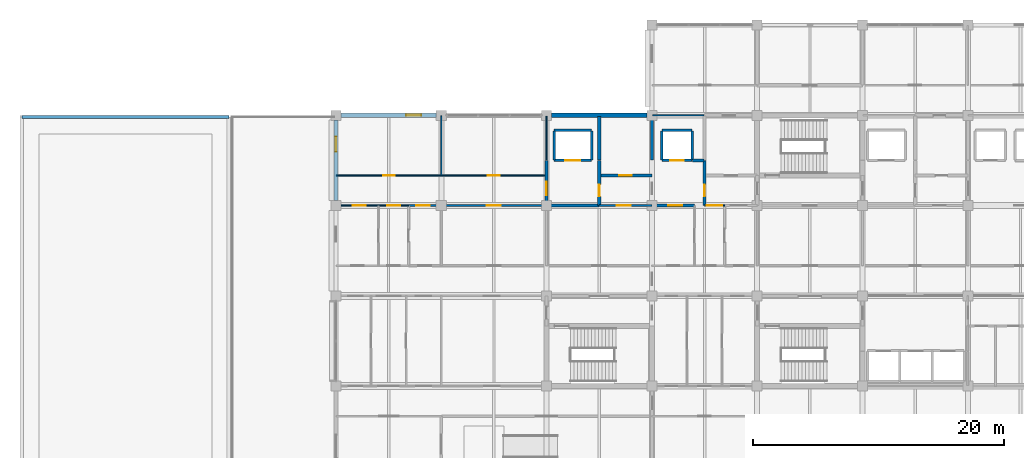
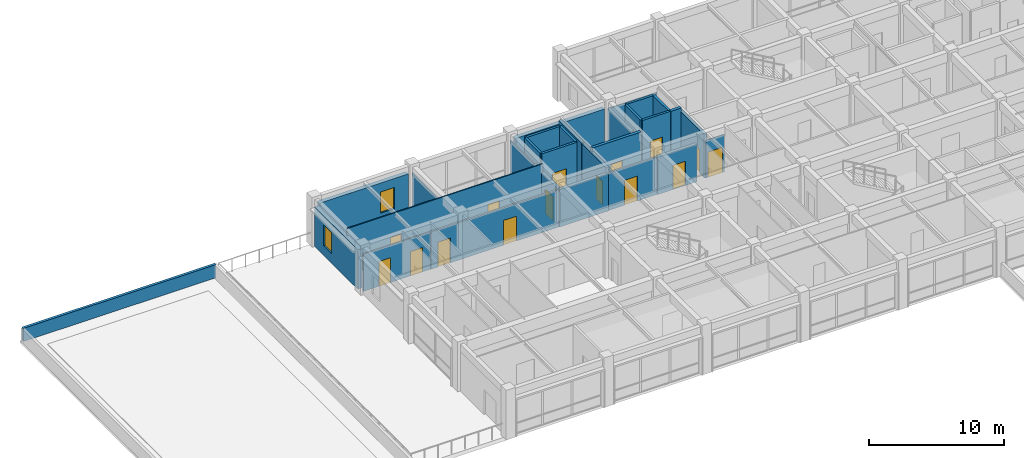
# One storey, part 26 of 40: 29 walls, 15 doors, 2 windows, 17 openings.
"""IFC4 building model written with IfcOpenShell, lengths in metres."""

from ifc_helpers import new_model, si_unit, direction, frame, frame_2d, origin, place, context, subcontext, project, spatial, rectangle, extrude, material, layer, layer_set, type_object, element, fill, save


model = new_model("IFC4")

# Units and contexts
model_context = context("Model", 3, precision=1e-05, world=origin(), true_north=direction((0.0, 1.0)))
body_context = subcontext(model_context, "Body", "Model", "MODEL_VIEW")
ifc_project = project(units=[si_unit("LENGTHUNIT", "METRE"), si_unit("AREAUNIT", "SQUARE_METRE"), si_unit("VOLUMEUNIT", "CUBIC_METRE"), si_unit("PLANEANGLEUNIT", "RADIAN"), si_unit("MASSUNIT", "GRAM", prefix="KILO")], contexts=[model_context])

# Site, building, storey
site_placement = place(None, origin())
site = spatial("IfcSite", under=ifc_project, at=site_placement, CompositionType="ELEMENT")
building_placement = place(site_placement, origin())
building = spatial("IfcBuilding", under=site, at=building_placement, Name="Chengyuan Square Courthouse", CompositionType="ELEMENT")
storey_placement = place(building_placement, frame((0.0, 0.0, 21.60009765625)))
storey = spatial("IfcBuildingStorey", under=building, at=storey_placement, Name="L05", CompositionType="ELEMENT", Elevation=21.60009765625)

# Wall, opening, window
ifc_material_1 = material(Name="Concrete C40", Category="concrete")
ifc_layer_1 = layer(ifc_material_1, 0.35009765625)
ifc_layer_set_1 = layer_set([ifc_layer_1], Name="Concrete C40")
wall_type_1 = type_object("IfcWallType", Name="WL-EW2", PredefinedType="STANDARD", material=ifc_layer_set_1)
wall_1_placement = place(storey_placement, frame((25.594970703125, 108.0, 0.0), z_axis=(0.0, 0.0, 1.0), x_axis=(1.0, 0.0, 0.0)))
wall_1 = element("IfcWall", 1, at=wall_1_placement, inside=storey, type_object=wall_type_1, Name="Exterior Wall WL-L05-E341", PredefinedType="STANDARD", context=body_context, shape_type="SweptSolid", body=[
    extrude(rectangle(XDim=7.610107421875, YDim=0.35009765625, at=frame_2d((3.80517578125, 0.0))), origin(), (0.0, 0.0, 1.0), 3.58984375),
])
opening_1_placement = place(wall_1_placement, frame((5.205078125, 0.0, 0.85009765625)))
opening_1 = element("IfcOpeningElement", 2, at=opening_1_placement, cuts=wall_1, Name="Opening WN-112", PredefinedType="OPENING", context=body_context, shape_type="SweptSolid", body=[
    extrude(rectangle(XDim=1.199951171875, YDim=1.919921875, at=frame_2d((0.60009765625, 0.9599609375))), frame((0.0, 0.18701171875, 0.0), z_axis=(0.0, -1.0, 0.0), x_axis=(1.0, 0.0, 0.0)), (0.0, 0.0, 1.0), 0.3740234375),
])
ifc_material_2 = material(Name="Thermally Broken Aluminium Triple Low-E Window", Category="aluminium")
window_type = type_object("IfcWindowType", Name="WT-17", PartitioningType="SINGLE_PANEL", PredefinedType="WINDOW", material=ifc_material_2)
window_1_placement = place(opening_1_placement, origin())
window_1 = element("IfcWindow", 3, at=window_1_placement, inside=storey, type_object=window_type, Name="Facade Window WN-112", OverallHeight=1.919921875, OverallWidth=1.199951171875, PartitioningType="SINGLE_PANEL", PredefinedType="WINDOW", context=body_context, shape_type="SweptSolid", body=[
    extrude(rectangle(XDim=1.199951171875, YDim=1.919921875, at=frame_2d((0.60009765625, 0.9599609375))), frame((0.0, 0.030029296875, 0.0), z_axis=(0.0, -1.0, 0.0), x_axis=(1.0, 0.0, 0.0)), (0.0, 0.0, 1.0), 0.06005859375),
])
fill(opening_1, window_1)

wall_2_placement = place(storey_placement, frame((25.199951171875, 101.195068359375, 0.0), z_axis=(0.0, 0.0, 1.0), x_axis=(0.0, 1.0, 0.0)))
wall_2 = element("IfcWall", 4, at=wall_2_placement, inside=storey, type_object=wall_type_1, Name="Exterior Wall WL-L05-E342", PredefinedType="STANDARD", context=body_context, shape_type="SweptSolid", body=[
    extrude(rectangle(XDim=6.409912109375, YDim=0.35009765625, at=frame_2d((3.205078125, 0.0))), origin(), (0.0, 0.0, 1.0), 3.58984375),
])
opening_2_placement = place(wall_2_placement, frame((3.905029296875, 0.0, 0.85009765625)))
opening_2 = element("IfcOpeningElement", 5, at=opening_2_placement, cuts=wall_2, Name="Opening WN-113", PredefinedType="OPENING", context=body_context, shape_type="SweptSolid", body=[
    extrude(rectangle(XDim=1.199951171875, YDim=1.919921875, at=frame_2d((0.60009765625, 0.9599609375))), frame((0.0, 0.18701171875, 0.0), z_axis=(0.0, -1.0, 0.0), x_axis=(1.0, 0.0, 0.0)), (0.0, 0.0, 1.0), 0.3740234375),
])
window_2_placement = place(opening_2_placement, origin())
window_2 = element("IfcWindow", 6, at=window_2_placement, inside=storey, type_object=window_type, Name="Facade Window WN-113", OverallHeight=1.919921875, OverallWidth=1.199951171875, PartitioningType="SINGLE_PANEL", PredefinedType="WINDOW", context=body_context, shape_type="SweptSolid", body=[
    extrude(rectangle(XDim=1.199951171875, YDim=1.919921875, at=frame_2d((0.60009765625, 0.9599609375))), frame((0.0, 0.030029296875, 0.0), z_axis=(0.0, -1.0, 0.0), x_axis=(1.0, 0.0, 0.0)), (0.0, 0.0, 1.0), 0.06005859375),
])
fill(opening_2, window_2)

# Walls
wall_3_placement = place(storey_placement, frame((42.39501953125, 108.0, 0.0), z_axis=(0.0, 0.0, 1.0), x_axis=(1.0, 0.0, 0.0)))
element("IfcWall", 7, at=wall_3_placement, inside=storey, type_object=wall_type_1, Name="Exterior Wall WL-L05-E343", PredefinedType="STANDARD", context=body_context, shape_type="SweptSolid", body=[
    extrude(rectangle(XDim=7.60986328125, YDim=0.35009765625, at=frame_2d((3.804931640625, 0.0))), origin(), (0.0, 0.0, 1.0), 3.58984375),
])
ifc_layer_2 = layer(ifc_material_1, 0.25)
ifc_layer_set_2 = layer_set([ifc_layer_2], Name="Concrete C40")
wall_type_2 = type_object("IfcWallType", Name="WL-FW1", PredefinedType="STANDARD", material=ifc_layer_set_2)
wall_4_placement = place(storey_placement, frame((42.0, 100.800048828125, 0.0), z_axis=(0.0, 0.0, 1.0), x_axis=(1.0, 0.0, 0.0)))
element("IfcWall", 8, at=wall_4_placement, inside=storey, type_object=wall_type_2, Name="Interior Wall WL-L05-I2155", PredefinedType="STANDARD", context=body_context, shape_type="SweptSolid", body=[
    extrude(rectangle(XDim=4.199951171875, YDim=0.25, at=frame_2d((2.10009765625, 0.0))), origin(), (0.0, 0.0, 1.0), 3.389892578125),
])

# Wall, opening, door
wall_5_placement = place(storey_placement, frame((50.39990234375, 100.800048828125, 0.0), z_axis=(0.0, 0.0, 1.0), x_axis=(1.0, 0.0, 0.0)))
wall_5 = element("IfcWall", 9, at=wall_5_placement, inside=storey, type_object=wall_type_2, Name="Interior Wall WL-L05-I2157", PredefinedType="STANDARD", context=body_context, shape_type="SweptSolid", body=[
    extrude(rectangle(XDim=3.400146484375, YDim=0.25, at=frame_2d((1.7001953125, 0.0))), origin(), (0.0, 0.0, 1.0), 3.389892578125),
])
opening_3_placement = place(wall_5_placement, frame((1.31005859375, 0.0, 0.0)))
opening_3 = element("IfcOpeningElement", 10, at=opening_3_placement, cuts=wall_5, Name="Opening DR-1975", PredefinedType="OPENING", context=body_context, shape_type="SweptSolid", body=[
    extrude(rectangle(XDim=1.10009765625, YDim=2.199951171875, at=frame_2d((0.550048828125, 1.10009765625))), frame((0.0, 0.136962890625, 0.0), z_axis=(0.0, -1.0, 0.0), x_axis=(1.0, 0.0, 0.0)), (0.0, 0.0, 1.0), 0.27392578125),
])
ifc_material_3 = material(Name="Steel Q235B Fire Door", Category="steel")
door_type_1 = type_object("IfcDoorType", Name="DT-10", OperationType="NOTDEFINED", PredefinedType="DOOR", material=ifc_material_3)
door_1_placement = place(opening_3_placement, origin())
door_1 = element("IfcDoor", 11, at=door_1_placement, inside=storey, type_object=door_type_1, Name="Interior Door DR-1975", OperationType="SINGLE_SWING_LEFT", OverallHeight=2.199951171875, OverallWidth=1.10009765625, PredefinedType="DOOR", context=body_context, shape_type="SweptSolid", body=[
    extrude(rectangle(XDim=1.10009765625, YDim=2.199951171875, at=frame_2d((0.550048828125, 1.10009765625))), frame((0.0, 0.02490234375, 0.0), z_axis=(0.0, -1.0, 0.0), x_axis=(1.0, 0.0, 0.0)), (0.0, 0.0, 1.0), 0.050048828125),
])
fill(opening_3, door_1)

wall_6_placement = place(storey_placement, frame((46.199951171875, 103.199951171875, 0.0), z_axis=(0.0, 0.0, 1.0), x_axis=(1.0, 0.0, 0.0)))
wall_6 = element("IfcWall", 12, at=wall_6_placement, inside=storey, type_object=wall_type_2, Name="Interior Wall WL-L05-I2173", PredefinedType="STANDARD", context=body_context, shape_type="SweptSolid", body=[
    extrude(rectangle(XDim=4.199951171875, YDim=0.25, at=frame_2d((2.10009765625, 0.0))), origin(), (0.0, 0.0, 1.0), 4.239990234375),
])
opening_4_placement = place(wall_6_placement, frame((1.60009765625, 0.0, 0.0)))
opening_4 = element("IfcOpeningElement", 13, at=opening_4_placement, cuts=wall_6, Name="Opening DR-1955", PredefinedType="OPENING", context=body_context, shape_type="SweptSolid", body=[
    extrude(rectangle(XDim=1.0, YDim=2.199951171875, at=frame_2d((0.5, 1.10009765625))), frame((0.0, 0.136962890625, 0.0), z_axis=(0.0, -1.0, 0.0), x_axis=(1.0, 0.0, 0.0)), (0.0, 0.0, 1.0), 0.27392578125),
])
door_type_2 = type_object("IfcDoorType", Name="DT-11", OperationType="NOTDEFINED", PredefinedType="DOOR", material=ifc_material_3)
door_2_placement = place(opening_4_placement, origin())
door_2 = element("IfcDoor", 14, at=door_2_placement, inside=storey, type_object=door_type_2, Name="Interior Door DR-1955", OperationType="SINGLE_SWING_RIGHT", OverallHeight=2.199951171875, OverallWidth=1.0, PredefinedType="DOOR", context=body_context, shape_type="SweptSolid", body=[
    extrude(rectangle(XDim=1.0, YDim=2.199951171875, at=frame_2d((0.5, 1.10009765625))), frame((0.0, 0.02490234375, 0.0), z_axis=(0.0, -1.0, 0.0), x_axis=(1.0, 0.0, 0.0)), (0.0, 0.0, 1.0), 0.050048828125),
])
fill(opening_4, door_2)

# Wall
wall_7_placement = place(storey_placement, frame((53.64990234375, 104.39990234375, 0.0), z_axis=(0.0, 0.0, 1.0), x_axis=(1.0, 0.0, 0.0)))
element("IfcWall", 15, at=wall_7_placement, inside=storey, type_object=wall_type_2, Name="Interior Wall WL-L05-I2184", PredefinedType="STANDARD", context=body_context, shape_type="SweptSolid", body=[
    extrude(rectangle(XDim=0.900146484375, YDim=0.25, at=frame_2d((0.4501953125, 0.0))), origin(), (0.0, 0.0, 1.0), 4.239990234375),
])

# Wall, opening, door
wall_8_placement = place(storey_placement, frame((42.0, 100.800048828125, 0.0), z_axis=(0.0, 0.0, 1.0), x_axis=(0.0, 1.0, 0.0)))
wall_8 = element("IfcWall", 16, at=wall_8_placement, inside=storey, type_object=wall_type_2, Name="Interior Wall WL-L05-I2234", PredefinedType="STANDARD", context=body_context, shape_type="SweptSolid", body=[
    extrude(rectangle(XDim=3.599853515625, YDim=0.25, at=frame_2d((1.7998046875, 0.0))), origin(), (0.0, 0.0, 1.0), 3.489990234375),
])
opening_5_placement = place(wall_8_placement, frame((0.81005859375, 0.0, 0.0)))
opening_5 = element("IfcOpeningElement", 17, at=opening_5_placement, cuts=wall_8, Name="Opening DR-1954", PredefinedType="OPENING", context=body_context, shape_type="SweptSolid", body=[
    extrude(rectangle(XDim=1.10009765625, YDim=2.199951171875, at=frame_2d((0.550048828125, 1.10009765625))), frame((0.0, 0.136962890625, 0.0), z_axis=(0.0, -1.0, 0.0), x_axis=(1.0, 0.0, 0.0)), (0.0, 0.0, 1.0), 0.27392578125),
])
door_3_placement = place(opening_5_placement, origin())
door_3 = element("IfcDoor", 18, at=door_3_placement, inside=storey, type_object=door_type_1, Name="Interior Door DR-1954", OperationType="SINGLE_SWING_LEFT", OverallHeight=2.199951171875, OverallWidth=1.10009765625, PredefinedType="DOOR", context=body_context, shape_type="SweptSolid", body=[
    extrude(rectangle(XDim=1.10009765625, YDim=2.199951171875, at=frame_2d((0.550048828125, 1.10009765625))), frame((0.0, 0.02490234375, 0.0), z_axis=(0.0, -1.0, 0.0), x_axis=(1.0, 0.0, 0.0)), (0.0, 0.0, 1.0), 0.050048828125),
])
fill(opening_5, door_3)

wall_9_placement = place(storey_placement, frame((46.199951171875, 100.800048828125, 0.0), z_axis=(0.0, 0.0, 1.0), x_axis=(0.0, 1.0, 0.0)))
wall_9 = element("IfcWall", 19, at=wall_9_placement, inside=storey, type_object=wall_type_2, Name="Interior Wall WL-L05-I2238", PredefinedType="STANDARD", context=body_context, shape_type="SweptSolid", body=[
    extrude(rectangle(XDim=3.599853515625, YDim=0.25, at=frame_2d((1.7998046875, 0.0))), origin(), (0.0, 0.0, 1.0), 3.889892578125),
])
opening_6_placement = place(wall_9_placement, frame((0.72509765625, 0.0, 0.0)))
opening_6 = element("IfcOpeningElement", 20, at=opening_6_placement, cuts=wall_9, Name="Opening DR-1953", PredefinedType="OPENING", context=body_context, shape_type="SweptSolid", body=[
    extrude(rectangle(XDim=0.949951171875, YDim=2.14990234375, at=frame_2d((0.47509765625, 1.074951171875))), frame((0.0, 0.136962890625, 0.0), z_axis=(0.0, -1.0, 0.0), x_axis=(1.0, 0.0, 0.0)), (0.0, 0.0, 1.0), 0.27392578125),
])
door_type_3 = type_object("IfcDoorType", Name="DT-12", OperationType="NOTDEFINED", PredefinedType="DOOR", material=ifc_material_3)
door_4_placement = place(opening_6_placement, origin())
door_4 = element("IfcDoor", 21, at=door_4_placement, inside=storey, type_object=door_type_3, Name="Interior Door DR-1953", OperationType="SINGLE_SWING_RIGHT", OverallHeight=2.14990234375, OverallWidth=0.949951171875, PredefinedType="DOOR", context=body_context, shape_type="SweptSolid", body=[
    extrude(rectangle(XDim=0.949951171875, YDim=2.14990234375, at=frame_2d((0.47509765625, 1.074951171875))), frame((0.0, 0.02490234375, 0.0), z_axis=(0.0, -1.0, 0.0), x_axis=(1.0, 0.0, 0.0)), (0.0, 0.0, 1.0), 0.050048828125),
])
fill(opening_6, door_4)

# Walls
wall_10_placement = place(storey_placement, frame((46.199951171875, 104.449951171875, 0.0), z_axis=(0.0, 0.0, 1.0), x_axis=(0.0, 1.0, 0.0)))
element("IfcWall", 22, at=wall_10_placement, inside=storey, type_object=wall_type_2, Name="Interior Wall WL-L05-I2239", PredefinedType="STANDARD", context=body_context, shape_type="SweptSolid", body=[
    extrude(rectangle(XDim=3.4599609375, YDim=0.25, at=frame_2d((1.72998046875, 0.0))), origin(), (0.0, 0.0, 1.0), 3.889892578125),
])
wall_11_placement = place(storey_placement, frame((50.39990234375, 104.449951171875, 0.0), z_axis=(0.0, 0.0, 1.0), x_axis=(0.0, 1.0, 0.0)))
element("IfcWall", 23, at=wall_11_placement, inside=storey, type_object=wall_type_2, Name="Interior Wall WL-L05-I2243", PredefinedType="STANDARD", context=body_context, shape_type="SweptSolid", body=[
    extrude(rectangle(XDim=3.4599609375, YDim=0.25, at=frame_2d((1.72998046875, 0.0))), origin(), (0.0, 0.0, 1.0), 3.489990234375),
])

# Wall, opening, door
wall_12_placement = place(storey_placement, frame((54.60009765625, 100.800048828125, 0.0), z_axis=(0.0, 0.0, 1.0), x_axis=(0.0, 1.0, 0.0)))
wall_12 = element("IfcWall", 24, at=wall_12_placement, inside=storey, type_object=wall_type_2, Name="Interior Wall WL-L05-I2248", PredefinedType="STANDARD", context=body_context, shape_type="SweptSolid", body=[
    extrude(rectangle(XDim=3.599853515625, YDim=0.25, at=frame_2d((1.7998046875, 0.0))), origin(), (0.0, 0.0, 1.0), 3.93994140625),
])
opening_7_placement = place(wall_12_placement, frame((0.72509765625, 0.0, 0.0)))
opening_7 = element("IfcOpeningElement", 25, at=opening_7_placement, cuts=wall_12, Name="Opening DR-1974", PredefinedType="OPENING", context=body_context, shape_type="SweptSolid", body=[
    extrude(rectangle(XDim=0.949951171875, YDim=2.14990234375, at=frame_2d((0.47509765625, 1.074951171875))), frame((0.0, 0.136962890625, 0.0), z_axis=(0.0, -1.0, 0.0), x_axis=(1.0, 0.0, 0.0)), (0.0, 0.0, 1.0), 0.27392578125),
])
door_5_placement = place(opening_7_placement, origin())
door_5 = element("IfcDoor", 26, at=door_5_placement, inside=storey, type_object=door_type_3, Name="Interior Door DR-1974", OperationType="SINGLE_SWING_RIGHT", OverallHeight=2.14990234375, OverallWidth=0.949951171875, PredefinedType="DOOR", context=body_context, shape_type="SweptSolid", body=[
    extrude(rectangle(XDim=0.949951171875, YDim=2.14990234375, at=frame_2d((0.47509765625, 1.074951171875))), frame((0.0, 0.02490234375, 0.0), z_axis=(0.0, -1.0, 0.0), x_axis=(1.0, 0.0, 0.0)), (0.0, 0.0, 1.0), 0.050048828125),
])
fill(opening_7, door_5)

# Wall
ifc_layer_3 = layer(ifc_material_1, 0.219970703125)
ifc_layer_set_3 = layer_set([ifc_layer_3], Name="Concrete C40")
wall_type_3 = type_object("IfcWallType", Name="WL-PR1", PredefinedType="PARAPET", material=ifc_layer_set_3)
wall_13_placement = place(storey_placement, frame((16.659912109375, 107.860107421875, 0.0), z_axis=(0.0, 0.0, 1.0), x_axis=(-1.0, 0.0, 0.0)))
element("IfcWall", 27, at=wall_13_placement, inside=storey, type_object=wall_type_3, Name="Roof Parapet Wall PAR-L05-017", PredefinedType="PARAPET", context=body_context, shape_type="SweptSolid", body=[
    extrude(rectangle(XDim=16.52001953125, YDim=0.219970703125, at=frame_2d((8.260009765625, 0.0))), origin(), (0.0, 0.0, 1.0), 1.199951171875),
])

# Wall, openings, doors
ifc_material_4 = material(Name="Deliberation Room Sound-Insulated Partition")
ifc_layer_4 = layer(ifc_material_4, 0.14990234375)
ifc_layer_set_4 = layer_set([ifc_layer_4], Name="Deliberation Room Sound-Insulated Partition")
wall_type_4 = type_object("IfcWallType", Name="WL-PT3", PredefinedType="STANDARD", material=ifc_layer_set_4)
wall_14_placement = place(storey_placement, frame((31.0, 100.800048828125, 0.0), z_axis=(0.0, 0.0, 1.0), x_axis=(1.0, 0.0, 0.0)))
wall_14 = element("IfcWall", 28, at=wall_14_placement, inside=storey, type_object=wall_type_4, Name="Interior Wall WL-L05-I2154", PredefinedType="STANDARD", context=body_context, shape_type="SweptSolid", body=[
    extrude(rectangle(XDim=11.0, YDim=0.14990234375, at=frame_2d((5.5, 0.0))), origin(), (0.0, 0.0, 1.0), 3.389892578125),
])
opening_8_placement = place(wall_14_placement, frame((0.60009765625, 0.0, 0.0)))
opening_8 = element("IfcOpeningElement", 29, at=opening_8_placement, cuts=wall_14, Name="Opening DR-1990", PredefinedType="OPENING", context=body_context, shape_type="SweptSolid", body=[
    extrude(rectangle(XDim=1.080078125, YDim=2.25, at=frame_2d((0.5400390625, 1.125))), frame((0.0, 0.0869140625, 0.0), z_axis=(0.0, -1.0, 0.0), x_axis=(1.0, 0.0, 0.0)), (0.0, 0.0, 1.0), 0.173828125),
])
opening_9_placement = place(wall_14_placement, frame((6.239990234375, 0.0, 0.0)))
opening_9 = element("IfcOpeningElement", 30, at=opening_9_placement, cuts=wall_14, Name="Opening DR-1991", PredefinedType="OPENING", context=body_context, shape_type="SweptSolid", body=[
    extrude(rectangle(XDim=1.1201171875, YDim=2.25, at=frame_2d((0.56005859375, 1.125))), frame((0.0, 0.0869140625, 0.0), z_axis=(0.0, -1.0, 0.0), x_axis=(1.0, 0.0, 0.0)), (0.0, 0.0, 1.0), 0.173828125),
])
ifc_material_5 = material(Name="Acoustic Solid-Core Timber Door", Category="wood")
door_type_4 = type_object("IfcDoorType", Name="DT-33", OperationType="NOTDEFINED", PredefinedType="DOOR", material=ifc_material_5)
door_6_placement = place(opening_8_placement, origin())
door_6 = element("IfcDoor", 31, at=door_6_placement, inside=storey, type_object=door_type_4, Name="Interior Door DR-1990", OperationType="SINGLE_SWING_RIGHT", OverallHeight=2.25, OverallWidth=1.080078125, PredefinedType="DOOR", context=body_context, shape_type="SweptSolid", body=[
    extrude(rectangle(XDim=1.080078125, YDim=2.25, at=frame_2d((0.5400390625, 1.125))), frame((0.0, 0.02490234375, 0.0), z_axis=(0.0, -1.0, 0.0), x_axis=(1.0, 0.0, 0.0)), (0.0, 0.0, 1.0), 0.050048828125),
])
fill(opening_8, door_6)
door_type_5 = type_object("IfcDoorType", Name="DT-34", OperationType="NOTDEFINED", PredefinedType="DOOR", material=ifc_material_5)
door_7_placement = place(opening_9_placement, origin())
door_7 = element("IfcDoor", 32, at=door_7_placement, inside=storey, type_object=door_type_5, Name="Interior Door DR-1991", OperationType="SINGLE_SWING_LEFT", OverallHeight=2.25, OverallWidth=1.1201171875, PredefinedType="DOOR", context=body_context, shape_type="SweptSolid", body=[
    extrude(rectangle(XDim=1.1201171875, YDim=2.25, at=frame_2d((0.56005859375, 1.125))), frame((0.0, 0.02490234375, 0.0), z_axis=(0.0, -1.0, 0.0), x_axis=(1.0, 0.0, 0.0)), (0.0, 0.0, 1.0), 0.050048828125),
])
fill(opening_9, door_7)

# Wall, opening, door
wall_15_placement = place(storey_placement, frame((46.199951171875, 100.800048828125, 0.0), z_axis=(0.0, 0.0, 1.0), x_axis=(1.0, 0.0, 0.0)))
wall_15 = element("IfcWall", 33, at=wall_15_placement, inside=storey, type_object=wall_type_4, Name="Interior Wall WL-L05-I2156", PredefinedType="STANDARD", context=body_context, shape_type="SweptSolid", body=[
    extrude(rectangle(XDim=4.199951171875, YDim=0.14990234375, at=frame_2d((2.10009765625, 0.0))), origin(), (0.0, 0.0, 1.0), 3.389892578125),
])
opening_10_placement = place(wall_15_placement, frame((1.3798828125, 0.0, 0.0)))
opening_10 = element("IfcOpeningElement", 34, at=opening_10_placement, cuts=wall_15, Name="Opening DR-1957", PredefinedType="OPENING", context=body_context, shape_type="SweptSolid", body=[
    extrude(rectangle(XDim=1.1201171875, YDim=2.25, at=frame_2d((0.56005859375, 1.125))), frame((0.0, 0.0869140625, 0.0), z_axis=(0.0, -1.0, 0.0), x_axis=(1.0, 0.0, 0.0)), (0.0, 0.0, 1.0), 0.173828125),
])
door_8_placement = place(opening_10_placement, origin())
door_8 = element("IfcDoor", 35, at=door_8_placement, inside=storey, type_object=door_type_5, Name="Interior Door DR-1957", OperationType="SINGLE_SWING_RIGHT", OverallHeight=2.25, OverallWidth=1.1201171875, PredefinedType="DOOR", context=body_context, shape_type="SweptSolid", body=[
    extrude(rectangle(XDim=1.1201171875, YDim=2.25, at=frame_2d((0.56005859375, 1.125))), frame((0.0, 0.02490234375, 0.0), z_axis=(0.0, -1.0, 0.0), x_axis=(1.0, 0.0, 0.0)), (0.0, 0.0, 1.0), 0.050048828125),
])
fill(opening_10, door_8)

# Wall, openings, doors
ifc_material_6 = material(Name="Gypsum Plasterboard Acoustic Stud Partition")
ifc_layer_5 = layer(ifc_material_6, 0.10009765625)
ifc_layer_set_5 = layer_set([ifc_layer_5], Name="Gypsum Plasterboard Acoustic Stud Partition")
wall_type_5 = type_object("IfcWallType", Name="WL-PT6", PredefinedType="STANDARD", material=ifc_layer_set_5)
wall_16_placement = place(storey_placement, frame((25.239990234375, 100.800048828125, 0.0), z_axis=(0.0, 0.0, 1.0), x_axis=(1.0, 0.0, 0.0)))
wall_16 = element("IfcWall", 36, at=wall_16_placement, inside=storey, type_object=wall_type_5, Name="Interior Wall WL-L05-I2153", PredefinedType="STANDARD", context=body_context, shape_type="SweptSolid", body=[
    extrude(rectangle(XDim=5.760009765625, YDim=0.10009765625, at=frame_2d((2.8798828125, 0.0))), origin(), (0.0, 0.0, 1.0), 3.389892578125),
])
opening_11_placement = place(wall_16_placement, frame((1.320068359375, 0.0, 0.0)))
opening_11 = element("IfcOpeningElement", 37, at=opening_11_placement, cuts=wall_16, Name="Opening DR-1988", PredefinedType="OPENING", context=body_context, shape_type="SweptSolid", body=[
    extrude(rectangle(XDim=1.0, YDim=2.25, at=frame_2d((0.5, 1.125))), frame((0.0, 0.06201171875, 0.0), z_axis=(0.0, -1.0, 0.0), x_axis=(1.0, 0.0, 0.0)), (0.0, 0.0, 1.0), 0.1240234375),
])
opening_12_placement = place(wall_16_placement, frame((4.0400390625, 0.0, 0.0)))
opening_12 = element("IfcOpeningElement", 38, at=opening_12_placement, cuts=wall_16, Name="Opening DR-1989", PredefinedType="OPENING", context=body_context, shape_type="SweptSolid", body=[
    extrude(rectangle(XDim=1.0400390625, YDim=2.199951171875, at=frame_2d((0.52001953125, 1.10009765625))), frame((0.0, 0.06201171875, 0.0), z_axis=(0.0, -1.0, 0.0), x_axis=(1.0, 0.0, 0.0)), (0.0, 0.0, 1.0), 0.1240234375),
])
door_type_6 = type_object("IfcDoorType", Name="DT-31", OperationType="NOTDEFINED", PredefinedType="DOOR", material=ifc_material_5)
door_9_placement = place(opening_11_placement, origin())
door_9 = element("IfcDoor", 39, at=door_9_placement, inside=storey, type_object=door_type_6, Name="Interior Door DR-1988", OperationType="SINGLE_SWING_RIGHT", OverallHeight=2.25, OverallWidth=1.0, PredefinedType="DOOR", context=body_context, shape_type="SweptSolid", body=[
    extrude(rectangle(XDim=1.0, YDim=2.25, at=frame_2d((0.5, 1.125))), frame((0.0, 0.02490234375, 0.0), z_axis=(0.0, -1.0, 0.0), x_axis=(1.0, 0.0, 0.0)), (0.0, 0.0, 1.0), 0.050048828125),
])
fill(opening_11, door_9)
door_type_7 = type_object("IfcDoorType", Name="DT-32", OperationType="NOTDEFINED", PredefinedType="DOOR", material=ifc_material_5)
door_10_placement = place(opening_12_placement, origin())
door_10 = element("IfcDoor", 40, at=door_10_placement, inside=storey, type_object=door_type_7, Name="Interior Door DR-1989", OperationType="SINGLE_SWING_LEFT", OverallHeight=2.199951171875, OverallWidth=1.0400390625, PredefinedType="DOOR", context=body_context, shape_type="SweptSolid", body=[
    extrude(rectangle(XDim=1.0400390625, YDim=2.199951171875, at=frame_2d((0.52001953125, 1.10009765625))), frame((0.0, 0.02490234375, 0.0), z_axis=(0.0, -1.0, 0.0), x_axis=(1.0, 0.0, 0.0)), (0.0, 0.0, 1.0), 0.050048828125),
])
fill(opening_12, door_10)

# Wall, opening, door
wall_17_placement = place(storey_placement, frame((54.60009765625, 100.800048828125, 0.0), z_axis=(0.0, 0.0, 1.0), x_axis=(1.0, 0.0, 0.0)))
wall_17 = element("IfcWall", 41, at=wall_17_placement, inside=storey, type_object=wall_type_5, Name="Interior Wall WL-L05-I2158", PredefinedType="STANDARD", context=body_context, shape_type="SweptSolid", body=[
    extrude(rectangle(XDim=1.599853515625, YDim=0.10009765625, at=frame_2d((0.7998046875, 0.0))), origin(), (0.0, 0.0, 1.0), 3.389892578125),
])
opening_13_placement = place(wall_17_placement, frame((0.179931640625, 0.0, 0.0)))
opening_13 = element("IfcOpeningElement", 42, at=opening_13_placement, cuts=wall_17, Name="Opening DR-1977", PredefinedType="OPENING", context=body_context, shape_type="SweptSolid", body=[
    extrude(rectangle(XDim=1.239990234375, YDim=2.300048828125, at=frame_2d((0.6201171875, 1.14990234375))), frame((0.0, 0.06201171875, 0.0), z_axis=(0.0, -1.0, 0.0), x_axis=(1.0, 0.0, 0.0)), (0.0, 0.0, 1.0), 0.1240234375),
])
door_type_8 = type_object("IfcDoorType", Name="DT-37", OperationType="NOTDEFINED", PredefinedType="DOOR", material=ifc_material_5)
door_11_placement = place(opening_13_placement, origin())
door_11 = element("IfcDoor", 43, at=door_11_placement, inside=storey, type_object=door_type_8, Name="Interior Door DR-1977", OperationType="SINGLE_SWING_LEFT", OverallHeight=2.300048828125, OverallWidth=1.239990234375, PredefinedType="DOOR", context=body_context, shape_type="SweptSolid", body=[
    extrude(rectangle(XDim=1.239990234375, YDim=2.300048828125, at=frame_2d((0.6201171875, 1.14990234375))), frame((0.0, 0.02490234375, 0.0), z_axis=(0.0, -1.0, 0.0), x_axis=(1.0, 0.0, 0.0)), (0.0, 0.0, 1.0), 0.050048828125),
])
fill(opening_13, door_11)

# Wall, openings, doors
wall_18_placement = place(storey_placement, frame((25.239990234375, 103.199951171875, 0.0), z_axis=(0.0, 0.0, 1.0), x_axis=(1.0, 0.0, 0.0)))
wall_18 = element("IfcWall", 44, at=wall_18_placement, inside=storey, type_object=wall_type_5, Name="Interior Wall WL-L05-I2172", PredefinedType="STANDARD", context=body_context, shape_type="SweptSolid", body=[
    extrude(rectangle(XDim=16.760009765625, YDim=0.10009765625, at=frame_2d((8.3798828125, 0.0))), origin(), (0.0, 0.0, 1.0), 4.239990234375),
])
opening_14_placement = place(wall_18_placement, frame((3.719970703125, 0.0, 0.0)))
opening_14 = element("IfcOpeningElement", 45, at=opening_14_placement, cuts=wall_18, Name="Opening DR-1986", PredefinedType="OPENING", context=body_context, shape_type="SweptSolid", body=[
    extrude(rectangle(XDim=0.919921875, YDim=2.14990234375, at=frame_2d((0.4599609375, 1.074951171875))), frame((0.0, 0.06201171875, 0.0), z_axis=(0.0, -1.0, 0.0), x_axis=(1.0, 0.0, 0.0)), (0.0, 0.0, 1.0), 0.1240234375),
])
opening_15_placement = place(wall_18_placement, frame((12.080078125, 0.0, 0.0)))
opening_15 = element("IfcOpeningElement", 46, at=opening_15_placement, cuts=wall_18, Name="Opening DR-1987", PredefinedType="OPENING", context=body_context, shape_type="SweptSolid", body=[
    extrude(rectangle(XDim=0.9599609375, YDim=2.199951171875, at=frame_2d((0.47998046875, 1.10009765625))), frame((0.0, 0.06201171875, 0.0), z_axis=(0.0, -1.0, 0.0), x_axis=(1.0, 0.0, 0.0)), (0.0, 0.0, 1.0), 0.1240234375),
])
door_type_9 = type_object("IfcDoorType", Name="DT-29", OperationType="NOTDEFINED", PredefinedType="DOOR", material=ifc_material_5)
door_12_placement = place(opening_14_placement, origin())
door_12 = element("IfcDoor", 47, at=door_12_placement, inside=storey, type_object=door_type_9, Name="Interior Door DR-1986", OperationType="SINGLE_SWING_RIGHT", OverallHeight=2.14990234375, OverallWidth=0.919921875, PredefinedType="DOOR", context=body_context, shape_type="SweptSolid", body=[
    extrude(rectangle(XDim=0.919921875, YDim=2.14990234375, at=frame_2d((0.4599609375, 1.074951171875))), frame((0.0, 0.02490234375, 0.0), z_axis=(0.0, -1.0, 0.0), x_axis=(1.0, 0.0, 0.0)), (0.0, 0.0, 1.0), 0.050048828125),
])
fill(opening_14, door_12)
door_type_10 = type_object("IfcDoorType", Name="DT-30", OperationType="NOTDEFINED", PredefinedType="DOOR", material=ifc_material_5)
door_13_placement = place(opening_15_placement, origin())
door_13 = element("IfcDoor", 48, at=door_13_placement, inside=storey, type_object=door_type_10, Name="Interior Door DR-1987", OperationType="SINGLE_SWING_LEFT", OverallHeight=2.199951171875, OverallWidth=0.9599609375, PredefinedType="DOOR", context=body_context, shape_type="SweptSolid", body=[
    extrude(rectangle(XDim=0.9599609375, YDim=2.199951171875, at=frame_2d((0.47998046875, 1.10009765625))), frame((0.0, 0.02490234375, 0.0), z_axis=(0.0, -1.0, 0.0), x_axis=(1.0, 0.0, 0.0)), (0.0, 0.0, 1.0), 0.050048828125),
])
fill(opening_15, door_13)

# Walls
wall_19_placement = place(storey_placement, frame((50.449951171875, 108.0, 0.0), z_axis=(0.0, 0.0, 1.0), x_axis=(1.0, 0.0, 0.0)))
element("IfcWall", 49, at=wall_19_placement, inside=storey, type_object=wall_type_5, Name="Interior Wall WL-L05-I2205", PredefinedType="STANDARD", context=body_context, shape_type="SweptSolid", body=[
    extrude(rectangle(XDim=4.10009765625, YDim=0.10009765625, at=frame_2d((2.050048828125, 0.0))), origin(), (0.0, 0.0, 1.0), 3.389892578125),
])
wall_20_placement = place(storey_placement, frame((33.60009765625, 103.199951171875, 0.0), z_axis=(0.0, 0.0, 1.0), x_axis=(0.0, 1.0, 0.0)))
element("IfcWall", 50, at=wall_20_placement, inside=storey, type_object=wall_type_5, Name="Interior Wall WL-L05-I2230", PredefinedType="STANDARD", context=body_context, shape_type="SweptSolid", body=[
    extrude(rectangle(XDim=4.760009765625, YDim=0.10009765625, at=frame_2d((2.3798828125, 0.0))), origin(), (0.0, 0.0, 1.0), 3.489990234375),
])
wall_21_placement = place(storey_placement, frame((42.0, 104.449951171875, 0.0), z_axis=(0.0, 0.0, 1.0), x_axis=(0.0, 1.0, 0.0)))
element("IfcWall", 51, at=wall_21_placement, inside=storey, type_object=wall_type_5, Name="Interior Wall WL-L05-I2235", PredefinedType="STANDARD", context=body_context, shape_type="SweptSolid", body=[
    extrude(rectangle(XDim=3.4599609375, YDim=0.10009765625, at=frame_2d((1.72998046875, 0.0))), origin(), (0.0, 0.0, 1.0), 3.489990234375),
])

# Wall, opening, door
ifc_material_7 = material(Name="Reinforced Masonry Shaft Enclosure", Category="masonry")
ifc_layer_6 = layer(ifc_material_7, 0.199951171875)
ifc_layer_set_6 = layer_set([ifc_layer_6], Name="Reinforced Masonry Shaft Enclosure")
wall_type_6 = type_object("IfcWallType", Name="WL-SH1", PredefinedType="STANDARD", material=ifc_layer_set_6)
wall_22_placement = place(storey_placement, frame((42.60009765625, 104.39990234375, 0.0), z_axis=(0.0, 0.0, 1.0), x_axis=(1.0, 0.0, 0.0)))
wall_22 = element("IfcWall", 52, at=wall_22_placement, inside=storey, type_object=wall_type_6, Name="Interior Wall WL-L05-I2182", PredefinedType="STANDARD", context=body_context, shape_type="SweptSolid", body=[
    extrude(rectangle(XDim=3.0, YDim=0.199951171875, at=frame_2d((1.5, 0.0))), origin(), (0.0, 0.0, 1.0), 4.239990234375),
])
opening_16_placement = place(wall_22_placement, frame((0.89990234375, 0.0, 0.0)))
opening_16 = element("IfcOpeningElement", 53, at=opening_16_placement, cuts=wall_22, Name="Opening LD-087", PredefinedType="OPENING", context=body_context, shape_type="SweptSolid", body=[
    extrude(rectangle(XDim=1.199951171875, YDim=2.14990234375, at=frame_2d((0.60009765625, 1.074951171875))), frame((0.0, 0.112060546875, 0.0), z_axis=(0.0, -1.0, 0.0), x_axis=(1.0, 0.0, 0.0)), (0.0, 0.0, 1.0), 0.223876953125),
])
ifc_material_8 = material(Name="Stainless Steel S30408 Lift Landing Door", Category="steel")
door_type_11 = type_object("IfcDoorType", Name="DT-05", OperationType="DOUBLE_DOOR_SLIDING", PredefinedType="DOOR", material=ifc_material_8)
door_14_placement = place(opening_16_placement, origin())
door_14 = element("IfcDoor", 54, at=door_14_placement, inside=storey, type_object=door_type_11, Name="Lift Landing Door LF-F3 L05", OperationType="DOUBLE_DOOR_SLIDING", OverallHeight=2.14990234375, OverallWidth=1.199951171875, PredefinedType="DOOR", context=body_context, shape_type="SweptSolid", body=[
    extrude(rectangle(XDim=1.199951171875, YDim=2.14990234375, at=frame_2d((0.60009765625, 1.074951171875))), frame((0.0, 0.02490234375, 0.0), z_axis=(0.0, -1.0, 0.0), x_axis=(1.0, 0.0, 0.0)), (0.0, 0.0, 1.0), 0.050048828125),
])
fill(opening_16, door_14)

wall_23_placement = place(storey_placement, frame((51.199951171875, 104.39990234375, 0.0), z_axis=(0.0, 0.0, 1.0), x_axis=(1.0, 0.0, 0.0)))
wall_23 = element("IfcWall", 55, at=wall_23_placement, inside=storey, type_object=wall_type_6, Name="Interior Wall WL-L05-I2183", PredefinedType="STANDARD", context=body_context, shape_type="SweptSolid", body=[
    extrude(rectangle(XDim=2.400146484375, YDim=0.199951171875, at=frame_2d((1.2001953125, 0.0))), origin(), (0.0, 0.0, 1.0), 4.239990234375),
])
opening_17_placement = place(wall_23_placement, frame((0.675048828125, 0.0, 0.0)))
opening_17 = element("IfcOpeningElement", 56, at=opening_17_placement, cuts=wall_23, Name="Opening LD-099", PredefinedType="OPENING", context=body_context, shape_type="SweptSolid", body=[
    extrude(rectangle(XDim=1.050048828125, YDim=2.14990234375, at=frame_2d((0.52490234375, 1.074951171875))), frame((0.0, 0.112060546875, 0.0), z_axis=(0.0, -1.0, 0.0), x_axis=(1.0, 0.0, 0.0)), (0.0, 0.0, 1.0), 0.223876953125),
])
door_type_12 = type_object("IfcDoorType", Name="DT-08", OperationType="DOUBLE_DOOR_SLIDING", PredefinedType="DOOR", material=ifc_material_8)
door_15_placement = place(opening_17_placement, origin())
door_15 = element("IfcDoor", 57, at=door_15_placement, inside=storey, type_object=door_type_12, Name="Lift Landing Door LF-C1 L05", OperationType="DOUBLE_DOOR_SLIDING", OverallHeight=2.14990234375, OverallWidth=1.050048828125, PredefinedType="DOOR", context=body_context, shape_type="SweptSolid", body=[
    extrude(rectangle(XDim=1.050048828125, YDim=2.14990234375, at=frame_2d((0.52490234375, 1.074951171875))), frame((0.0, 0.02490234375, 0.0), z_axis=(0.0, -1.0, 0.0), x_axis=(1.0, 0.0, 0.0)), (0.0, 0.0, 1.0), 0.050048828125),
])
fill(opening_17, door_15)

# Walls
wall_24_placement = place(storey_placement, frame((42.60009765625, 106.800048828125, 0.0), z_axis=(0.0, 0.0, 1.0), x_axis=(1.0, 0.0, 0.0)))
element("IfcWall", 58, at=wall_24_placement, inside=storey, type_object=wall_type_6, Name="Interior Wall WL-L05-I2195", PredefinedType="STANDARD", context=body_context, shape_type="SweptSolid", body=[
    extrude(rectangle(XDim=3.0, YDim=0.199951171875, at=frame_2d((1.5, 0.0))), origin(), (0.0, 0.0, 1.0), 4.239990234375),
])
wall_25_placement = place(storey_placement, frame((51.199951171875, 106.800048828125, 0.0), z_axis=(0.0, 0.0, 1.0), x_axis=(1.0, 0.0, 0.0)))
element("IfcWall", 59, at=wall_25_placement, inside=storey, type_object=wall_type_6, Name="Interior Wall WL-L05-I2196", PredefinedType="STANDARD", context=body_context, shape_type="SweptSolid", body=[
    extrude(rectangle(XDim=2.400146484375, YDim=0.199951171875, at=frame_2d((1.2001953125, 0.0))), origin(), (0.0, 0.0, 1.0), 4.239990234375),
])
for number, where, z_axis, x_axis, name in (
    (60, (42.60009765625, 104.449951171875, 0.0), (0.0, 0.0, 1.0), (0.0, 1.0, 0.0), "Interior Wall WL-L05-I2236"),
    (61, (45.60009765625, 104.449951171875, 0.0), (0.0, 0.0, 1.0), (0.0, 1.0, 0.0), "Interior Wall WL-L05-I2237"),
    (62, (51.199951171875, 104.449951171875, 0.0), (0.0, 0.0, 1.0), (0.0, 1.0, 0.0), "Interior Wall WL-L05-I2244"),
    (63, (53.60009765625, 104.449951171875, 0.0), (0.0, 0.0, 1.0), (0.0, 1.0, 0.0), "Interior Wall WL-L05-I2246"),
):
    element("IfcWall", number, at=place(storey_placement, frame(where, z_axis=z_axis, x_axis=x_axis)), inside=storey, type_object=wall_type_6, Name=name, PredefinedType="STANDARD", context=body_context, shape_type="SweptSolid", body=[
        extrude(rectangle(XDim=2.300048828125, YDim=0.199951171875, at=frame_2d((1.14990234375, 0.0))), origin(), (0.0, 0.0, 1.0), 4.239990234375),
    ])

save(model, "model.ifc")
